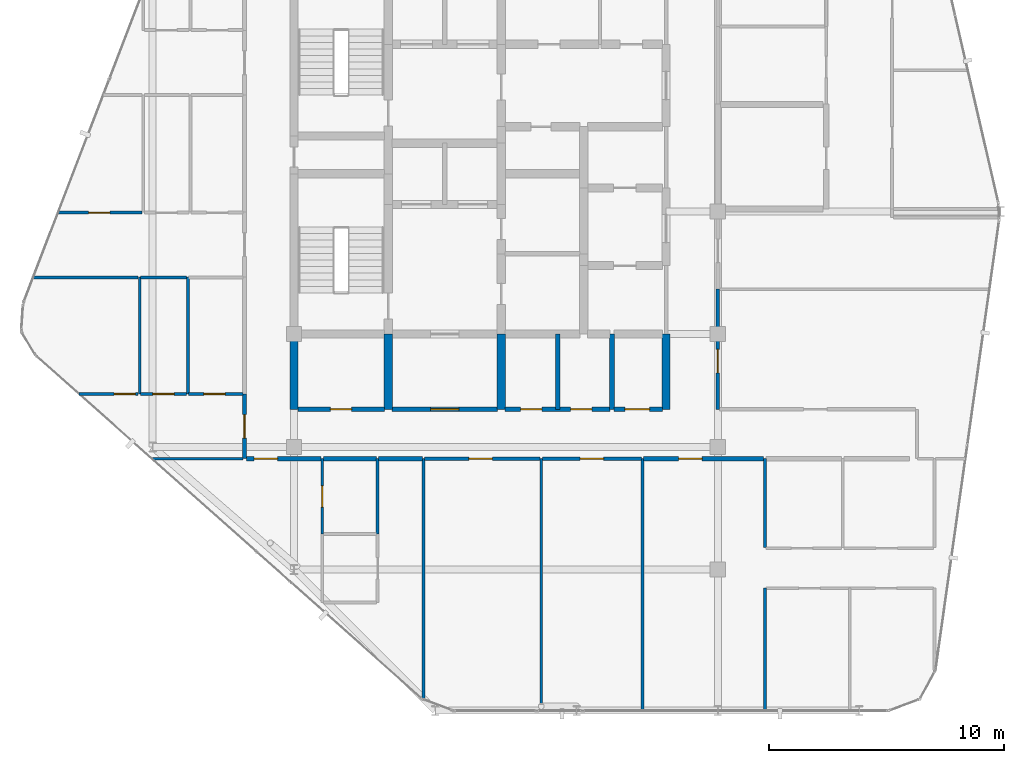
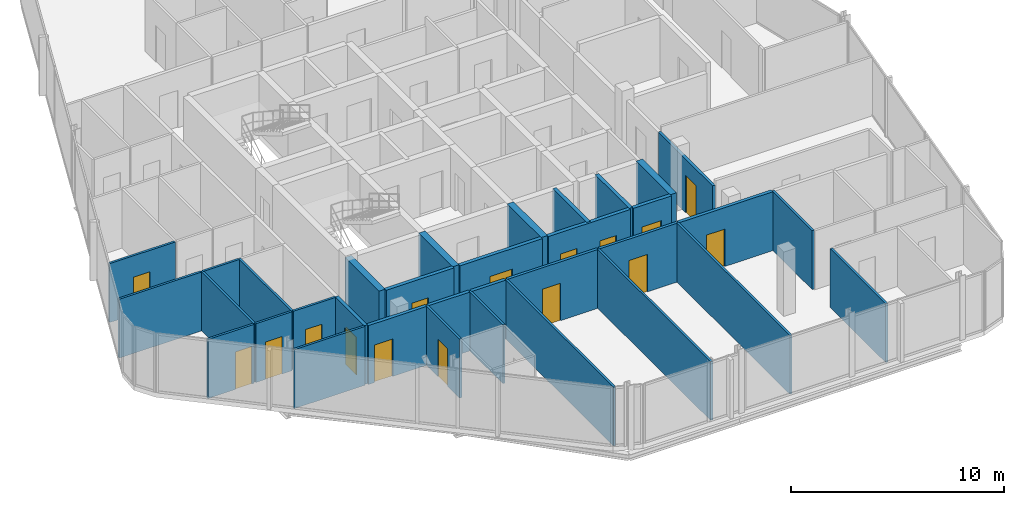
# One storey, part 22 of 27: 34 walls, 16 doors, 16 openings.
"""IFC4 building model written with IfcOpenShell, lengths in metres."""

from ifc_helpers import new_model, si_unit, direction, frame, frame_2d, origin, place, context, subcontext, project, spatial, rectangle, extrude, material, layer, layer_set, type_object, element, fill, save


model = new_model("IFC4")

# Units and contexts
model_context = context("Model", 3, precision=1e-05, world=origin(), true_north=direction((0.0, 1.0)))
body_context = subcontext(model_context, "Body", "Model", "MODEL_VIEW")
ifc_project = project(units=[si_unit("LENGTHUNIT", "METRE"), si_unit("AREAUNIT", "SQUARE_METRE"), si_unit("VOLUMEUNIT", "CUBIC_METRE"), si_unit("PLANEANGLEUNIT", "RADIAN"), si_unit("MASSUNIT", "GRAM", prefix="KILO")], contexts=[model_context])

# Site, building, storey
site_placement = place(None, origin())
site = spatial("IfcSite", under=ifc_project, at=site_placement, CompositionType="ELEMENT")
building_placement = place(site_placement, origin())
building = spatial("IfcBuilding", under=site, at=building_placement, Name="Keshet Zoharim Tower", CompositionType="ELEMENT")
storey_placement = place(building_placement, frame((0.0, 0.0, 295.39990234375)))
storey = spatial("IfcBuildingStorey", under=building, at=storey_placement, Name="L74", CompositionType="ELEMENT", Elevation=295.39990234375)

# Wall, opening, door
ifc_material_1 = material(Name="Gypsum Plasterboard", Category="gypsum")
ifc_layer_1 = layer(ifc_material_1, 0.14990234375)
ifc_layer_set_1 = layer_set([ifc_layer_1], Name="Gypsum Plasterboard")
wall_type_1 = type_object("IfcWallType", Name="WL-CLIN-150", PredefinedType="STANDARD", material=ifc_layer_set_1)
wall_1_placement = place(storey_placement, frame((33.0, 19.5, 0.0), z_axis=(0.0, 0.0, 1.0), x_axis=(0.0, 1.0, 0.0)))
wall_1 = element("IfcWall", 1, at=wall_1_placement, inside=storey, type_object=wall_type_1, Name="L74 Interior Wall 063", PredefinedType="STANDARD", context=body_context, shape_type="SweptSolid", body=[
    extrude(rectangle(XDim=5.10009765625, YDim=0.14990234375, at=frame_2d((2.550048828125, 0.0))), origin(), (0.0, 0.0, 1.0), 3.090087890625),
])
opening_1_placement = place(wall_1_placement, frame((1.547119140625, 0.0, 0.0)))
opening_1 = element("IfcOpeningElement", 2, at=opening_1_placement, cuts=wall_1, Name="Opening D-F310", PredefinedType="OPENING", context=body_context, shape_type="SweptSolid", body=[
    extrude(rectangle(XDim=1.0, YDim=2.14990234375, at=frame_2d((0.5, 1.074951171875))), frame((0.0, 0.0849609375, 0.0), z_axis=(0.0, -1.0, 0.0), x_axis=(1.0, 0.0, 0.0)), (0.0, 0.0, 1.0), 0.169921875),
])
ifc_material_2 = material(Name="Hardwood Timber", Category="wood")
door_type_1 = type_object("IfcDoorType", Name="DR-FD30-100", OperationType="NOTDEFINED", PredefinedType="DOOR", material=ifc_material_2)
door_1_placement = place(opening_1_placement, origin())
door_1 = element("IfcDoor", 3, at=door_1_placement, inside=storey, type_object=door_type_1, Name="L74 South West Residents Services Suite Door 2", OperationType="SINGLE_SWING_RIGHT", OverallHeight=2.14990234375, OverallWidth=1.0, PredefinedType="DOOR", context=body_context, shape_type="SweptSolid", body=[
    extrude(rectangle(XDim=1.0, YDim=2.14990234375, at=frame_2d((0.5, 1.074951171875))), frame((0.0, 0.02490234375, 0.0), z_axis=(0.0, -1.0, 0.0), x_axis=(1.0, 0.0, 0.0)), (0.0, 0.0, 1.0), 0.050048828125),
])
fill(opening_1, door_1)

wall_2_placement = place(storey_placement, frame((20.544921875, 17.39990234375, 0.0), z_axis=(0.0, 0.0, 1.0), x_axis=(1.0, 0.0, 0.0)))
wall_2 = element("IfcWall", 4, at=wall_2_placement, inside=storey, type_object=wall_type_1, Name="L74 Interior Wall 096", PredefinedType="STANDARD", context=body_context, shape_type="SweptSolid", body=[
    extrude(rectangle(XDim=4.91015625, YDim=0.14990234375, at=frame_2d((2.455078125, 0.0))), origin(), (0.0, 0.0, 1.0), 3.380126953125),
])
opening_2_placement = place(wall_2_placement, frame((1.884033203125, 0.0, 0.0)))
opening_2 = element("IfcOpeningElement", 5, at=opening_2_placement, cuts=wall_2, Name="Opening D-F310", PredefinedType="OPENING", context=body_context, shape_type="SweptSolid", body=[
    extrude(rectangle(XDim=1.0, YDim=2.14990234375, at=frame_2d((0.5, 1.074951171875))), frame((0.0, 0.0849609375, 0.0), z_axis=(0.0, -1.0, 0.0), x_axis=(1.0, 0.0, 0.0)), (0.0, 0.0, 1.0), 0.169921875),
])
door_2_placement = place(opening_2_placement, origin())
door_2 = element("IfcDoor", 6, at=door_2_placement, inside=storey, type_object=door_type_1, Name="L74 Residents Fitness Studio Door", OperationType="SINGLE_SWING_RIGHT", OverallHeight=2.14990234375, OverallWidth=1.0, PredefinedType="DOOR", context=body_context, shape_type="SweptSolid", body=[
    extrude(rectangle(XDim=1.0, YDim=2.14990234375, at=frame_2d((0.5, 1.074951171875))), frame((0.0, 0.02490234375, 0.0), z_axis=(0.0, -1.0, 0.0), x_axis=(1.0, 0.0, 0.0)), (0.0, 0.0, 1.0), 0.050048828125),
])
fill(opening_2, door_2)

wall_3_placement = place(storey_placement, frame((25.544921875, 17.39990234375, 0.0), z_axis=(0.0, 0.0, 1.0), x_axis=(1.0, 0.0, 0.0)))
wall_3 = element("IfcWall", 7, at=wall_3_placement, inside=storey, type_object=wall_type_1, Name="L74 Interior Wall 097", PredefinedType="STANDARD", context=body_context, shape_type="SweptSolid", body=[
    extrude(rectangle(XDim=4.2099609375, YDim=0.14990234375, at=frame_2d((2.10498046875, 0.0))), origin(), (0.0, 0.0, 1.0), 3.380126953125),
])
opening_3_placement = place(wall_3_placement, frame((1.60498046875, 0.0, 0.0)))
opening_3 = element("IfcOpeningElement", 8, at=opening_3_placement, cuts=wall_3, Name="Opening D-F310", PredefinedType="OPENING", context=body_context, shape_type="SweptSolid", body=[
    extrude(rectangle(XDim=1.0, YDim=2.14990234375, at=frame_2d((0.5, 1.074951171875))), frame((0.0, 0.0849609375, 0.0), z_axis=(0.0, -1.0, 0.0), x_axis=(1.0, 0.0, 0.0)), (0.0, 0.0, 1.0), 0.169921875),
])
door_3_placement = place(opening_3_placement, origin())
door_3 = element("IfcDoor", 9, at=door_3_placement, inside=storey, type_object=door_type_1, Name="L74 Residents Reading Office Door", OperationType="SINGLE_SWING_LEFT", OverallHeight=2.14990234375, OverallWidth=1.0, PredefinedType="DOOR", context=body_context, shape_type="SweptSolid", body=[
    extrude(rectangle(XDim=1.0, YDim=2.14990234375, at=frame_2d((0.5, 1.074951171875))), frame((0.0, 0.02490234375, 0.0), z_axis=(0.0, -1.0, 0.0), x_axis=(1.0, 0.0, 0.0)), (0.0, 0.0, 1.0), 0.050048828125),
])
fill(opening_3, door_3)

# Walls
ifc_material_3 = material(Name="Concrete C60/75", Category="concrete")
ifc_layer_2 = layer(ifc_material_3, 0.35009765625)
ifc_layer_set_2 = layer_set([ifc_layer_2], Name="Concrete C60/75")
wall_type_2 = type_object("IfcWallType", Name="WL-CORE-350", PredefinedType="SHEAR", material=ifc_layer_set_2)
for number, where, z_axis, x_axis, name in (
    (10, (15.0, 19.5, 0.0), (0.0, 0.0, 1.0), (0.0, 1.0, 0.0), "L74 Core Shear Wall 013"),
    (11, (19.0, 19.5, 0.0), (0.0, 0.0, 1.0), (0.0, 1.0, 0.0), "L74 Core Shear Wall 023"),
    (12, (23.800048828125, 19.5, 0.0), (0.0, 0.0, 1.0), (0.0, 1.0, 0.0), "L74 Core Shear Wall 035"),
    (13, (30.800048828125, 19.5, 0.0), (0.0, 0.0, 1.0), (0.0, 1.0, 0.0), "L74 Core Shear Wall 056"),
):
    element("IfcWall", number, at=place(storey_placement, frame(where, z_axis=z_axis, x_axis=x_axis)), inside=storey, type_object=wall_type_2, Name=name, PredefinedType="SHEAR", context=body_context, shape_type="SweptSolid", body=[
        extrude(rectangle(XDim=3.199951171875, YDim=0.35009765625, at=frame_2d((1.60009765625, 0.0))), origin(), (0.0, 0.0, 1.0), 3.380126953125),
    ])

# Wall, opening, door
ifc_layer_3 = layer(ifc_material_1, 0.179931640625)
ifc_layer_set_3 = layer_set([ifc_layer_3], Name="Gypsum Plasterboard")
wall_type_3 = type_object("IfcWallType", Name="WL-CORR-180", PredefinedType="STANDARD", material=ifc_layer_set_3)
wall_4_placement = place(storey_placement, frame((12.89990234375, 17.39990234375, 0.0), z_axis=(0.0, 0.0, 1.0), x_axis=(0.0, 1.0, 0.0)))
wall_4 = element("IfcWall", 14, at=wall_4_placement, inside=storey, type_object=wall_type_3, Name="L74 Interior Wall 007", PredefinedType="STANDARD", context=body_context, shape_type="SweptSolid", body=[
    extrude(rectangle(XDim=2.75, YDim=0.179931640625, at=frame_2d((1.375, 0.0))), origin(), (0.0, 0.0, 1.0), 3.380126953125),
])
opening_4_placement = place(wall_4_placement, frame((0.875, 0.0, 0.0)))
opening_4 = element("IfcOpeningElement", 15, at=opening_4_placement, cuts=wall_4, Name="Opening D-F310", PredefinedType="OPENING", context=body_context, shape_type="SweptSolid", body=[
    extrude(rectangle(XDim=1.0, YDim=2.14990234375, at=frame_2d((0.5, 1.074951171875))), frame((0.0, 0.10009765625, 0.0), z_axis=(0.0, -1.0, 0.0), x_axis=(1.0, 0.0, 0.0)), (0.0, 0.0, 1.0), 0.199951171875),
])
door_4_placement = place(opening_4_placement, origin())
door_4 = element("IfcDoor", 16, at=door_4_placement, inside=storey, type_object=door_type_1, Name="Apartment 7405 Entrance Door", OperationType="SINGLE_SWING_LEFT", OverallHeight=2.14990234375, OverallWidth=1.0, PredefinedType="DOOR", context=body_context, shape_type="SweptSolid", body=[
    extrude(rectangle(XDim=1.0, YDim=2.14990234375, at=frame_2d((0.5, 1.074951171875))), frame((0.0, 0.02490234375, 0.0), z_axis=(0.0, -1.0, 0.0), x_axis=(1.0, 0.0, 0.0)), (0.0, 0.0, 1.0), 0.050048828125),
])
fill(opening_4, door_4)

wall_5_placement = place(storey_placement, frame((12.97509765625, 17.39990234375, 0.0), z_axis=(0.0, 0.0, 1.0), x_axis=(1.0, 0.0, 0.0)))
wall_5 = element("IfcWall", 17, at=wall_5_placement, inside=storey, type_object=wall_type_3, Name="L74 Interior Wall 093", PredefinedType="STANDARD", context=body_context, shape_type="SweptSolid", body=[
    extrude(rectangle(XDim=3.179931640625, YDim=0.179931640625, at=frame_2d((1.58984375, 0.0))), origin(), (0.0, 0.0, 1.0), 3.380126953125),
])
opening_5_placement = place(wall_5_placement, frame((0.33203125, 0.0, 0.0)))
opening_5 = element("IfcOpeningElement", 18, at=opening_5_placement, cuts=wall_5, Name="Opening D-F310", PredefinedType="OPENING", context=body_context, shape_type="SweptSolid", body=[
    extrude(rectangle(XDim=1.0, YDim=2.14990234375, at=frame_2d((0.5, 1.074951171875))), frame((0.0, 0.10009765625, 0.0), z_axis=(0.0, -1.0, 0.0), x_axis=(1.0, 0.0, 0.0)), (0.0, 0.0, 1.0), 0.199951171875),
])
door_5_placement = place(opening_5_placement, origin())
door_5 = element("IfcDoor", 19, at=door_5_placement, inside=storey, type_object=door_type_1, Name="Apartment 7401 Entrance Door", OperationType="SINGLE_SWING_LEFT", OverallHeight=2.14990234375, OverallWidth=1.0, PredefinedType="DOOR", context=body_context, shape_type="SweptSolid", body=[
    extrude(rectangle(XDim=1.0, YDim=2.14990234375, at=frame_2d((0.5, 1.074951171875))), frame((0.0, 0.02490234375, 0.0), z_axis=(0.0, -1.0, 0.0), x_axis=(1.0, 0.0, 0.0)), (0.0, 0.0, 1.0), 0.050048828125),
])
fill(opening_5, door_5)

# Walls
wall_6_placement = place(storey_placement, frame((16.2451171875, 17.39990234375, 0.0), z_axis=(0.0, 0.0, 1.0), x_axis=(1.0, 0.0, 0.0)))
element("IfcWall", 20, at=wall_6_placement, inside=storey, type_object=wall_type_3, Name="L74 Interior Wall 094", PredefinedType="STANDARD", context=body_context, shape_type="SweptSolid", body=[
    extrude(rectangle(XDim=2.259765625, YDim=0.179931640625, at=frame_2d((1.1298828125, 0.0))), origin(), (0.0, 0.0, 1.0), 3.380126953125),
])
wall_7_placement = place(storey_placement, frame((18.594970703125, 17.39990234375, 0.0), z_axis=(0.0, 0.0, 1.0), x_axis=(1.0, 0.0, 0.0)))
element("IfcWall", 21, at=wall_7_placement, inside=storey, type_object=wall_type_3, Name="L74 Interior Wall 095", PredefinedType="STANDARD", context=body_context, shape_type="SweptSolid", body=[
    extrude(rectangle(XDim=1.860107421875, YDim=0.179931640625, at=frame_2d((0.93017578125, 0.0))), origin(), (0.0, 0.0, 1.0), 3.380126953125),
])

# Wall, opening, door
wall_8_placement = place(storey_placement, frame((29.844970703125, 17.39990234375, 0.0), z_axis=(0.0, 0.0, 1.0), x_axis=(1.0, 0.0, 0.0)))
wall_8 = element("IfcWall", 22, at=wall_8_placement, inside=storey, type_object=wall_type_3, Name="L74 Interior Wall 098", PredefinedType="STANDARD", context=body_context, shape_type="SweptSolid", body=[
    extrude(rectangle(XDim=5.10009765625, YDim=0.179931640625, at=frame_2d((2.550048828125, 0.0))), origin(), (0.0, 0.0, 1.0), 3.380126953125),
])
opening_6_placement = place(wall_8_placement, frame((1.48291015625, 0.0, 0.0)))
opening_6 = element("IfcOpeningElement", 23, at=opening_6_placement, cuts=wall_8, Name="Opening D-F310", PredefinedType="OPENING", context=body_context, shape_type="SweptSolid", body=[
    extrude(rectangle(XDim=1.0, YDim=2.14990234375, at=frame_2d((0.5, 1.074951171875))), frame((0.0, 0.10009765625, 0.0), z_axis=(0.0, -1.0, 0.0), x_axis=(1.0, 0.0, 0.0)), (0.0, 0.0, 1.0), 0.199951171875),
])
door_6_placement = place(opening_6_placement, origin())
door_6 = element("IfcDoor", 24, at=door_6_placement, inside=storey, type_object=door_type_1, Name="Apartment 7402 Entrance Door", OperationType="SINGLE_SWING_RIGHT", OverallHeight=2.14990234375, OverallWidth=1.0, PredefinedType="DOOR", context=body_context, shape_type="SweptSolid", body=[
    extrude(rectangle(XDim=1.0, YDim=2.14990234375, at=frame_2d((0.5, 1.074951171875))), frame((0.0, 0.02490234375, 0.0), z_axis=(0.0, -1.0, 0.0), x_axis=(1.0, 0.0, 0.0)), (0.0, 0.0, 1.0), 0.050048828125),
])
fill(opening_6, door_6)

# Walls
ifc_material_4 = material(Name="Concrete C50/60", Category="concrete")
ifc_layer_4 = layer(ifc_material_4, 0.199951171875)
ifc_layer_set_4 = layer_set([ifc_layer_4], Name="Concrete C50/60")
wall_type_4 = type_object("IfcWallType", Name="WL-FIRE-200", PredefinedType="STANDARD", material=ifc_layer_set_4)
for number, where, z_axis, x_axis, name in (
    (25, (26.199951171875, 19.5, 0.0), (0.0, 0.0, 1.0), (0.0, 1.0, 0.0), "L74 Interior Wall 044"),
    (26, (28.5, 19.5, 0.0), (0.0, 0.0, 1.0), (0.0, 1.0, 0.0), "L74 Interior Wall 053"),
):
    element("IfcWall", number, at=place(storey_placement, frame(where, z_axis=z_axis, x_axis=x_axis)), inside=storey, type_object=wall_type_4, Name=name, PredefinedType="STANDARD", context=body_context, shape_type="SweptSolid", body=[
        extrude(rectangle(XDim=3.199951171875, YDim=0.199951171875, at=frame_2d((1.60009765625, 0.0))), origin(), (0.0, 0.0, 1.0), 3.380126953125),
    ])

# Wall, opening, door
wall_9_placement = place(storey_placement, frame((15.159912109375, 19.5, 0.0), z_axis=(0.0, 0.0, 1.0), x_axis=(1.0, 0.0, 0.0)))
wall_9 = element("IfcWall", 27, at=wall_9_placement, inside=storey, type_object=wall_type_4, Name="L74 Interior Wall 103", PredefinedType="STANDARD", context=body_context, shape_type="SweptSolid", body=[
    extrude(rectangle(XDim=3.68017578125, YDim=0.199951171875, at=frame_2d((1.840087890625, 0.0))), origin(), (0.0, 0.0, 1.0), 3.380126953125),
])
opening_7_placement = place(wall_9_placement, frame((1.389892578125, 0.0, 0.0)))
opening_7 = element("IfcOpeningElement", 28, at=opening_7_placement, cuts=wall_9, Name="Opening D-F690", PredefinedType="OPENING", context=body_context, shape_type="SweptSolid", body=[
    extrude(rectangle(XDim=0.89990234375, YDim=2.14990234375, at=frame_2d((0.449951171875, 1.074951171875))), frame((0.0, 0.10986328125, 0.0), z_axis=(0.0, -1.0, 0.0), x_axis=(1.0, 0.0, 0.0)), (0.0, 0.0, 1.0), 0.219970703125),
])
door_type_2 = type_object("IfcDoorType", Name="DR-FD60-090", OperationType="NOTDEFINED", PredefinedType="DOOR", material=ifc_material_2)
door_7_placement = place(opening_7_placement, origin())
door_7 = element("IfcDoor", 29, at=door_7_placement, inside=storey, type_object=door_type_2, Name="L74 Pram Store Door", OperationType="SINGLE_SWING_LEFT", OverallHeight=2.14990234375, OverallWidth=0.89990234375, PredefinedType="DOOR", context=body_context, shape_type="SweptSolid", body=[
    extrude(rectangle(XDim=0.89990234375, YDim=2.14990234375, at=frame_2d((0.449951171875, 1.074951171875))), frame((0.0, 0.02490234375, 0.0), z_axis=(0.0, -1.0, 0.0), x_axis=(1.0, 0.0, 0.0)), (0.0, 0.0, 1.0), 0.050048828125),
])
fill(opening_7, door_7)

wall_10_placement = place(storey_placement, frame((19.159912109375, 19.5, 0.0), z_axis=(0.0, 0.0, 1.0), x_axis=(1.0, 0.0, 0.0)))
wall_10 = element("IfcWall", 30, at=wall_10_placement, inside=storey, type_object=wall_type_4, Name="L74 Interior Wall 104", PredefinedType="STANDARD", context=body_context, shape_type="SweptSolid", body=[
    extrude(rectangle(XDim=4.47998046875, YDim=0.199951171875, at=frame_2d((2.239990234375, 0.0))), origin(), (0.0, 0.0, 1.0), 3.380126953125),
])
opening_8_placement = place(wall_10_placement, frame((1.639892578125, 0.0, 0.0)))
opening_8 = element("IfcOpeningElement", 31, at=opening_8_placement, cuts=wall_10, Name="Opening D-F612", PredefinedType="OPENING", context=body_context, shape_type="SweptSolid", body=[
    extrude(rectangle(XDim=1.199951171875, YDim=2.199951171875, at=frame_2d((0.60009765625, 1.10009765625))), frame((0.0, 0.10986328125, 0.0), z_axis=(0.0, -1.0, 0.0), x_axis=(1.0, 0.0, 0.0)), (0.0, 0.0, 1.0), 0.219970703125),
])
door_type_3 = type_object("IfcDoorType", Name="DR-FD60-120", OperationType="NOTDEFINED", PredefinedType="DOOR", material=ifc_material_2)
door_8_placement = place(opening_8_placement, origin())
door_8 = element("IfcDoor", 32, at=door_8_placement, inside=storey, type_object=door_type_3, Name="L74 South Vestibule Corridor Door", OperationType="SINGLE_SWING_RIGHT", OverallHeight=2.199951171875, OverallWidth=1.199951171875, PredefinedType="DOOR", context=body_context, shape_type="SweptSolid", body=[
    extrude(rectangle(XDim=1.199951171875, YDim=2.199951171875, at=frame_2d((0.60009765625, 1.10009765625))), frame((0.0, 0.02490234375, 0.0), z_axis=(0.0, -1.0, 0.0), x_axis=(1.0, 0.0, 0.0)), (0.0, 0.0, 1.0), 0.050048828125),
])
fill(opening_8, door_8)

# Wall, openings, doors
wall_11_placement = place(storey_placement, frame((23.9599609375, 19.5, 0.0), z_axis=(0.0, 0.0, 1.0), x_axis=(1.0, 0.0, 0.0)))
wall_11 = element("IfcWall", 33, at=wall_11_placement, inside=storey, type_object=wall_type_4, Name="L74 Interior Wall 105", PredefinedType="STANDARD", context=body_context, shape_type="SweptSolid", body=[
    extrude(rectangle(XDim=4.455078125, YDim=0.199951171875, at=frame_2d((2.2275390625, 0.0))), origin(), (0.0, 0.0, 1.0), 3.380126953125),
])
opening_9_placement = place(wall_11_placement, frame((0.6650390625, 0.0, 0.0)))
opening_9 = element("IfcOpeningElement", 34, at=opening_9_placement, cuts=wall_11, Name="Opening D-F690", PredefinedType="OPENING", context=body_context, shape_type="SweptSolid", body=[
    extrude(rectangle(XDim=0.89990234375, YDim=2.14990234375, at=frame_2d((0.449951171875, 1.074951171875))), frame((0.0, 0.10986328125, 0.0), z_axis=(0.0, -1.0, 0.0), x_axis=(1.0, 0.0, 0.0)), (0.0, 0.0, 1.0), 0.219970703125),
])
opening_10_placement = place(wall_11_placement, frame((2.791015625, 0.0, 0.0)))
opening_10 = element("IfcOpeningElement", 35, at=opening_10_placement, cuts=wall_11, Name="Opening D-F690", PredefinedType="OPENING", context=body_context, shape_type="SweptSolid", body=[
    extrude(rectangle(XDim=0.89990234375, YDim=2.14990234375, at=frame_2d((0.449951171875, 1.074951171875))), frame((0.0, 0.10986328125, 0.0), z_axis=(0.0, -1.0, 0.0), x_axis=(1.0, 0.0, 0.0)), (0.0, 0.0, 1.0), 0.219970703125),
])
door_9_placement = place(opening_9_placement, origin())
door_9 = element("IfcDoor", 36, at=door_9_placement, inside=storey, type_object=door_type_2, Name="L74 Switchgear Room Door", OperationType="SINGLE_SWING_LEFT", OverallHeight=2.14990234375, OverallWidth=0.89990234375, PredefinedType="DOOR", context=body_context, shape_type="SweptSolid", body=[
    extrude(rectangle(XDim=0.89990234375, YDim=2.14990234375, at=frame_2d((0.449951171875, 1.074951171875))), frame((0.0, 0.02490234375, 0.0), z_axis=(0.0, -1.0, 0.0), x_axis=(1.0, 0.0, 0.0)), (0.0, 0.0, 1.0), 0.050048828125),
])
fill(opening_9, door_9)
door_10_placement = place(opening_10_placement, origin())
door_10 = element("IfcDoor", 37, at=door_10_placement, inside=storey, type_object=door_type_2, Name="L74 Telecom Room Door", OperationType="SINGLE_SWING_RIGHT", OverallHeight=2.14990234375, OverallWidth=0.89990234375, PredefinedType="DOOR", context=body_context, shape_type="SweptSolid", body=[
    extrude(rectangle(XDim=0.89990234375, YDim=2.14990234375, at=frame_2d((0.449951171875, 1.074951171875))), frame((0.0, 0.02490234375, 0.0), z_axis=(0.0, -1.0, 0.0), x_axis=(1.0, 0.0, 0.0)), (0.0, 0.0, 1.0), 0.050048828125),
])
fill(opening_10, door_10)

# Wall, opening, door
wall_12_placement = place(storey_placement, frame((28.5849609375, 19.5, 0.0), z_axis=(0.0, 0.0, 1.0), x_axis=(1.0, 0.0, 0.0)))
wall_12 = element("IfcWall", 38, at=wall_12_placement, inside=storey, type_object=wall_type_4, Name="L74 Interior Wall 106", PredefinedType="STANDARD", context=body_context, shape_type="SweptSolid", body=[
    extrude(rectangle(XDim=2.054931640625, YDim=0.199951171875, at=frame_2d((1.02734375, 0.0))), origin(), (0.0, 0.0, 1.0), 3.380126953125),
])
opening_11_placement = place(wall_12_placement, frame((0.466064453125, 0.0, 0.0)))
opening_11 = element("IfcOpeningElement", 39, at=opening_11_placement, cuts=wall_12, Name="Opening D-AC10", PredefinedType="OPENING", context=body_context, shape_type="SweptSolid", body=[
    extrude(rectangle(XDim=1.050048828125, YDim=2.14990234375, at=frame_2d((0.52490234375, 1.074951171875))), frame((0.0, 0.10986328125, 0.0), z_axis=(0.0, -1.0, 0.0), x_axis=(1.0, 0.0, 0.0)), (0.0, 0.0, 1.0), 0.219970703125),
])
door_type_4 = type_object("IfcDoorType", Name="DR-ACC-105", OperationType="NOTDEFINED", PredefinedType="DOOR", material=ifc_material_2)
door_11_placement = place(opening_11_placement, origin())
door_11 = element("IfcDoor", 40, at=door_11_placement, inside=storey, type_object=door_type_4, Name="L74 Accessible WC Door", OperationType="SINGLE_SWING_LEFT", OverallHeight=2.14990234375, OverallWidth=1.050048828125, PredefinedType="DOOR", context=body_context, shape_type="SweptSolid", body=[
    extrude(rectangle(XDim=1.050048828125, YDim=2.14990234375, at=frame_2d((0.52490234375, 1.074951171875))), frame((0.0, 0.02490234375, 0.0), z_axis=(0.0, -1.0, 0.0), x_axis=(1.0, 0.0, 0.0)), (0.0, 0.0, 1.0), 0.050048828125),
])
fill(opening_11, door_11)

# Wall
ifc_layer_5 = layer(ifc_material_1, 0.1201171875)
ifc_layer_set_5 = layer_set([ifc_layer_5], Name="Gypsum Plasterboard")
wall_type_5 = type_object("IfcWallType", Name="WL-PART-120", PredefinedType="PARTITIONING", material=ifc_layer_set_5)
wall_13_placement = place(storey_placement, frame((8.449951171875, 20.14990234375, 0.0), z_axis=(0.0, 0.0, 1.0), x_axis=(0.0, 1.0, 0.0)))
element("IfcWall", 41, at=wall_13_placement, inside=storey, type_object=wall_type_5, Name="L74 Interior Wall 001", PredefinedType="PARTITIONING", context=body_context, shape_type="SweptSolid", body=[
    extrude(rectangle(XDim=4.97021484375, YDim=0.1201171875, at=frame_2d((2.485107421875, 0.0))), origin(), (0.0, 0.0, 1.0), 3.380126953125),
])

# Wall, opening, door
wall_14_placement = place(storey_placement, frame((16.199951171875, 14.199951171875, 0.0), z_axis=(0.0, 0.0, 1.0), x_axis=(0.0, 1.0, 0.0)))
wall_14 = element("IfcWall", 42, at=wall_14_placement, inside=storey, type_object=wall_type_5, Name="L74 Interior Wall 018", PredefinedType="PARTITIONING", context=body_context, shape_type="SweptSolid", body=[
    extrude(rectangle(XDim=3.199951171875, YDim=0.1201171875, at=frame_2d((1.60009765625, 0.0))), origin(), (0.0, 0.0, 1.0), 3.380126953125),
])
opening_12_placement = place(wall_14_placement, frame((1.14990234375, 0.0, 0.0)))
opening_12 = element("IfcOpeningElement", 43, at=opening_12_placement, cuts=wall_14, Name="Opening D-IN90", PredefinedType="OPENING", context=body_context, shape_type="SweptSolid", body=[
    extrude(rectangle(XDim=0.89990234375, YDim=2.14990234375, at=frame_2d((0.449951171875, 1.074951171875))), frame((0.0, 0.070068359375, 0.0), z_axis=(0.0, -1.0, 0.0), x_axis=(1.0, 0.0, 0.0)), (0.0, 0.0, 1.0), 0.14013671875),
])
door_type_5 = type_object("IfcDoorType", Name="DR-INT-090", OperationType="NOTDEFINED", PredefinedType="DOOR", material=ifc_material_2)
door_12_placement = place(opening_12_placement, origin())
door_12 = element("IfcDoor", 44, at=door_12_placement, inside=storey, type_object=door_type_5, Name="Apartment 7401 Kitchenette Door", OperationType="SINGLE_SWING_LEFT", OverallHeight=2.14990234375, OverallWidth=0.89990234375, PredefinedType="DOOR", context=body_context, shape_type="SweptSolid", body=[
    extrude(rectangle(XDim=0.89990234375, YDim=2.14990234375, at=frame_2d((0.449951171875, 1.074951171875))), frame((0.0, 0.02490234375, 0.0), z_axis=(0.0, -1.0, 0.0), x_axis=(1.0, 0.0, 0.0)), (0.0, 0.0, 1.0), 0.050048828125),
])
fill(opening_12, door_12)

# Walls
wall_15_placement = place(storey_placement, frame((18.550048828125, 14.199951171875, 0.0), z_axis=(0.0, 0.0, 1.0), x_axis=(0.0, 1.0, 0.0)))
element("IfcWall", 45, at=wall_15_placement, inside=storey, type_object=wall_type_5, Name="L74 Interior Wall 022", PredefinedType="PARTITIONING", context=body_context, shape_type="SweptSolid", body=[
    extrude(rectangle(XDim=3.199951171875, YDim=0.1201171875, at=frame_2d((1.60009765625, 0.0))), origin(), (0.0, 0.0, 1.0), 3.380126953125),
])
wall_16_placement = place(storey_placement, frame((20.5, 7.18896484375, 0.0), z_axis=(0.0, 0.0, 1.0), x_axis=(0.0, 1.0, 0.0)))
element("IfcWall", 46, at=wall_16_placement, inside=storey, type_object=wall_type_5, Name="L74 Interior Wall 030", PredefinedType="PARTITIONING", context=body_context, shape_type="SweptSolid", body=[
    extrude(rectangle(XDim=10.2109375, YDim=0.1201171875, at=frame_2d((5.10546875, 0.0))), origin(), (0.0, 0.0, 1.0), 3.380126953125),
])
for number, where, z_axis, x_axis, name in (
    (47, (25.5, 6.7099609375, 0.0), (0.0, 0.0, 1.0), (0.0, 1.0, 0.0), "L74 Interior Wall 043"),
    (48, (29.800048828125, 6.7099609375, 0.0), (0.0, 0.0, 1.0), (0.0, 1.0, 0.0), "L74 Interior Wall 054"),
):
    element("IfcWall", number, at=place(storey_placement, frame(where, z_axis=z_axis, x_axis=x_axis)), inside=storey, type_object=wall_type_5, Name=name, PredefinedType="PARTITIONING", context=body_context, shape_type="SweptSolid", body=[
        extrude(rectangle(XDim=10.68994140625, YDim=0.1201171875, at=frame_2d((5.344970703125, 0.0))), origin(), (0.0, 0.0, 1.0), 3.380126953125),
    ])
wall_17_placement = place(storey_placement, frame((35.0, 6.7099609375, 0.0), z_axis=(0.0, 0.0, 1.0), x_axis=(0.0, 1.0, 0.0)))
element("IfcWall", 49, at=wall_17_placement, inside=storey, type_object=wall_type_5, Name="L74 Interior Wall 070", PredefinedType="PARTITIONING", context=body_context, shape_type="SweptSolid", body=[
    extrude(rectangle(XDim=5.2099609375, YDim=0.1201171875, at=frame_2d((2.60498046875, 0.0))), origin(), (0.0, 0.0, 1.0), 3.380126953125),
])
wall_18_placement = place(storey_placement, frame((35.0, 13.6201171875, 0.0), z_axis=(0.0, 0.0, 1.0), x_axis=(0.0, 1.0, 0.0)))
element("IfcWall", 50, at=wall_18_placement, inside=storey, type_object=wall_type_5, Name="L74 Interior Wall 071", PredefinedType="PARTITIONING", context=body_context, shape_type="SweptSolid", body=[
    extrude(rectangle(XDim=3.77978515625, YDim=0.1201171875, at=frame_2d((1.889892578125, 0.0))), origin(), (0.0, 0.0, 1.0), 3.380126953125),
])
wall_19_placement = place(storey_placement, frame((8.972900390625, 17.39990234375, 0.0), z_axis=(0.0, 0.0, 1.0), x_axis=(1.0, 0.0, 0.0)))
element("IfcWall", 51, at=wall_19_placement, inside=storey, type_object=wall_type_5, Name="L74 Interior Wall 092", PredefinedType="PARTITIONING", context=body_context, shape_type="SweptSolid", body=[
    extrude(rectangle(XDim=3.85205078125, YDim=0.1201171875, at=frame_2d((1.926025390625, 0.0))), origin(), (0.0, 0.0, 1.0), 3.380126953125),
])

# Wall, opening, door
wall_20_placement = place(storey_placement, frame((5.87890625, 20.14990234375, 0.0), z_axis=(0.0, 0.0, 1.0), x_axis=(1.0, 0.0, 0.0)))
wall_20 = element("IfcWall", 52, at=wall_20_placement, inside=storey, type_object=wall_type_5, Name="L74 Interior Wall 108", PredefinedType="PARTITIONING", context=body_context, shape_type="SweptSolid", body=[
    extrude(rectangle(XDim=2.504150390625, YDim=0.1201171875, at=frame_2d((1.251953125, 0.0))), origin(), (0.0, 0.0, 1.0), 3.380126953125),
])
opening_13_placement = place(wall_20_placement, frame((1.48388671875, 0.0, 0.0)))
opening_13 = element("IfcOpeningElement", 53, at=opening_13_placement, cuts=wall_20, Name="Opening D-IN90", PredefinedType="OPENING", context=body_context, shape_type="SweptSolid", body=[
    extrude(rectangle(XDim=0.89990234375, YDim=2.14990234375, at=frame_2d((0.449951171875, 1.074951171875))), frame((0.0, 0.070068359375, 0.0), z_axis=(0.0, -1.0, 0.0), x_axis=(1.0, 0.0, 0.0)), (0.0, 0.0, 1.0), 0.14013671875),
])
door_13_placement = place(opening_13_placement, origin())
door_13 = element("IfcDoor", 54, at=door_13_placement, inside=storey, type_object=door_type_5, Name="Apartment 7405 Bedroom 1 Door", OperationType="SINGLE_SWING_LEFT", OverallHeight=2.14990234375, OverallWidth=0.89990234375, PredefinedType="DOOR", context=body_context, shape_type="SweptSolid", body=[
    extrude(rectangle(XDim=0.89990234375, YDim=2.14990234375, at=frame_2d((0.449951171875, 1.074951171875))), frame((0.0, 0.02490234375, 0.0), z_axis=(0.0, -1.0, 0.0), x_axis=(1.0, 0.0, 0.0)), (0.0, 0.0, 1.0), 0.050048828125),
])
fill(opening_13, door_13)

wall_21_placement = place(storey_placement, frame((8.472900390625, 20.14990234375, 0.0), z_axis=(0.0, 0.0, 1.0), x_axis=(1.0, 0.0, 0.0)))
wall_21 = element("IfcWall", 55, at=wall_21_placement, inside=storey, type_object=wall_type_5, Name="L74 Interior Wall 109", PredefinedType="PARTITIONING", context=body_context, shape_type="SweptSolid", body=[
    extrude(rectangle(XDim=1.967041015625, YDim=0.1201171875, at=frame_2d((0.9833984375, 0.0))), origin(), (0.0, 0.0, 1.0), 3.380126953125),
])
opening_14_placement = place(wall_21_placement, frame((0.533935546875, 0.0, 0.0)))
opening_14 = element("IfcOpeningElement", 56, at=opening_14_placement, cuts=wall_21, Name="Opening D-IN90", PredefinedType="OPENING", context=body_context, shape_type="SweptSolid", body=[
    extrude(rectangle(XDim=0.89990234375, YDim=2.14990234375, at=frame_2d((0.449951171875, 1.074951171875))), frame((0.0, 0.070068359375, 0.0), z_axis=(0.0, -1.0, 0.0), x_axis=(1.0, 0.0, 0.0)), (0.0, 0.0, 1.0), 0.14013671875),
])
door_14_placement = place(opening_14_placement, origin())
door_14 = element("IfcDoor", 57, at=door_14_placement, inside=storey, type_object=door_type_5, Name="Apartment 7405 Kitchen Door", OperationType="SINGLE_SWING_RIGHT", OverallHeight=2.14990234375, OverallWidth=0.89990234375, PredefinedType="DOOR", context=body_context, shape_type="SweptSolid", body=[
    extrude(rectangle(XDim=0.89990234375, YDim=2.14990234375, at=frame_2d((0.449951171875, 1.074951171875))), frame((0.0, 0.02490234375, 0.0), z_axis=(0.0, -1.0, 0.0), x_axis=(1.0, 0.0, 0.0)), (0.0, 0.0, 1.0), 0.050048828125),
])
fill(opening_14, door_14)

# Walls
wall_22_placement = place(storey_placement, frame((3.93310546875, 25.10009765625, 0.0), z_axis=(0.0, 0.0, 1.0), x_axis=(1.0, 0.0, 0.0)))
element("IfcWall", 58, at=wall_22_placement, inside=storey, type_object=wall_type_5, Name="L74 Interior Wall 117", PredefinedType="PARTITIONING", context=body_context, shape_type="SweptSolid", body=[
    extrude(rectangle(XDim=4.449951171875, YDim=0.1201171875, at=frame_2d((2.22509765625, 0.0))), origin(), (0.0, 0.0, 1.0), 3.380126953125),
])
wall_23_placement = place(storey_placement, frame((8.472900390625, 25.10009765625, 0.0), z_axis=(0.0, 0.0, 1.0), x_axis=(1.0, 0.0, 0.0)))
element("IfcWall", 59, at=wall_23_placement, inside=storey, type_object=wall_type_5, Name="L74 Interior Wall 118", PredefinedType="PARTITIONING", context=body_context, shape_type="SweptSolid", body=[
    extrude(rectangle(XDim=1.967041015625, YDim=0.1201171875, at=frame_2d((0.9833984375, 0.0))), origin(), (0.0, 0.0, 1.0), 3.380126953125),
])

# Wall, opening, door
wall_24_placement = place(storey_placement, frame((4.990966796875, 27.85009765625, 0.0), z_axis=(0.0, 0.0, 1.0), x_axis=(1.0, 0.0, 0.0)))
wall_24 = element("IfcWall", 60, at=wall_24_placement, inside=storey, type_object=wall_type_5, Name="L74 Interior Wall 123", PredefinedType="PARTITIONING", context=body_context, shape_type="SweptSolid", body=[
    extrude(rectangle(XDim=3.56396484375, YDim=0.1201171875, at=frame_2d((1.781982421875, 0.0))), origin(), (0.0, 0.0, 1.0), 3.380126953125),
])
opening_15_placement = place(wall_24_placement, frame((1.291015625, 0.0, 0.0)))
opening_15 = element("IfcOpeningElement", 61, at=opening_15_placement, cuts=wall_24, Name="Opening D-IN90", PredefinedType="OPENING", context=body_context, shape_type="SweptSolid", body=[
    extrude(rectangle(XDim=0.89990234375, YDim=2.14990234375, at=frame_2d((0.449951171875, 1.074951171875))), frame((0.0, 0.070068359375, 0.0), z_axis=(0.0, -1.0, 0.0), x_axis=(1.0, 0.0, 0.0)), (0.0, 0.0, 1.0), 0.14013671875),
])
door_15_placement = place(opening_15_placement, origin())
door_15 = element("IfcDoor", 62, at=door_15_placement, inside=storey, type_object=door_type_5, Name="Apartment 7406 Bedroom 1 Door", OperationType="SINGLE_SWING_RIGHT", OverallHeight=2.14990234375, OverallWidth=0.89990234375, PredefinedType="DOOR", context=body_context, shape_type="SweptSolid", body=[
    extrude(rectangle(XDim=0.89990234375, YDim=2.14990234375, at=frame_2d((0.449951171875, 1.074951171875))), frame((0.0, 0.02490234375, 0.0), z_axis=(0.0, -1.0, 0.0), x_axis=(1.0, 0.0, 0.0)), (0.0, 0.0, 1.0), 0.050048828125),
])
fill(opening_15, door_15)

# Wall
ifc_layer_6 = layer(ifc_material_1, 0.1201171875)
ifc_layer_set_6 = layer_set([ifc_layer_6], Name="Gypsum Plasterboard")
wall_type_6 = type_object("IfcWallType", Name="WL-WET-120", PredefinedType="PARTITIONING", material=ifc_layer_set_6)
wall_25_placement = place(storey_placement, frame((10.5, 20.14990234375, 0.0), z_axis=(0.0, 0.0, 1.0), x_axis=(0.0, 1.0, 0.0)))
element("IfcWall", 63, at=wall_25_placement, inside=storey, type_object=wall_type_6, Name="L74 Interior Wall 004", PredefinedType="PARTITIONING", context=body_context, shape_type="SweptSolid", body=[
    extrude(rectangle(XDim=4.97021484375, YDim=0.1201171875, at=frame_2d((2.485107421875, 0.0))), origin(), (0.0, 0.0, 1.0), 3.380126953125),
])

# Wall, opening, door
wall_26_placement = place(storey_placement, frame((10.530029296875, 20.14990234375, 0.0), z_axis=(0.0, 0.0, 1.0), x_axis=(1.0, 0.0, 0.0)))
wall_26 = element("IfcWall", 64, at=wall_26_placement, inside=storey, type_object=wall_type_6, Name="L74 Interior Wall 110", PredefinedType="PARTITIONING", context=body_context, shape_type="SweptSolid", body=[
    extrude(rectangle(XDim=2.294921875, YDim=0.1201171875, at=frame_2d((1.1474609375, 0.0))), origin(), (0.0, 0.0, 1.0), 3.380126953125),
])
opening_16_placement = place(wall_26_placement, frame((0.64111328125, 0.0, 0.0)))
opening_16 = element("IfcOpeningElement", 65, at=opening_16_placement, cuts=wall_26, Name="Opening D-WT90", PredefinedType="OPENING", context=body_context, shape_type="SweptSolid", body=[
    extrude(rectangle(XDim=0.89990234375, YDim=2.10009765625, at=frame_2d((0.449951171875, 1.050048828125))), frame((0.0, 0.070068359375, 0.0), z_axis=(0.0, -1.0, 0.0), x_axis=(1.0, 0.0, 0.0)), (0.0, 0.0, 1.0), 0.14013671875),
])
door_type_6 = type_object("IfcDoorType", Name="DR-WET-090", OperationType="NOTDEFINED", PredefinedType="DOOR", material=ifc_material_2)
door_16_placement = place(opening_16_placement, origin())
door_16 = element("IfcDoor", 66, at=door_16_placement, inside=storey, type_object=door_type_6, Name="Apartment 7405 Bathroom Door", OperationType="SINGLE_SWING_LEFT", OverallHeight=2.10009765625, OverallWidth=0.89990234375, PredefinedType="DOOR", context=body_context, shape_type="SweptSolid", body=[
    extrude(rectangle(XDim=0.89990234375, YDim=2.10009765625, at=frame_2d((0.449951171875, 1.050048828125))), frame((0.0, 0.02490234375, 0.0), z_axis=(0.0, -1.0, 0.0), x_axis=(1.0, 0.0, 0.0)), (0.0, 0.0, 1.0), 0.050048828125),
])
fill(opening_16, door_16)

save(model, "model.ifc")
